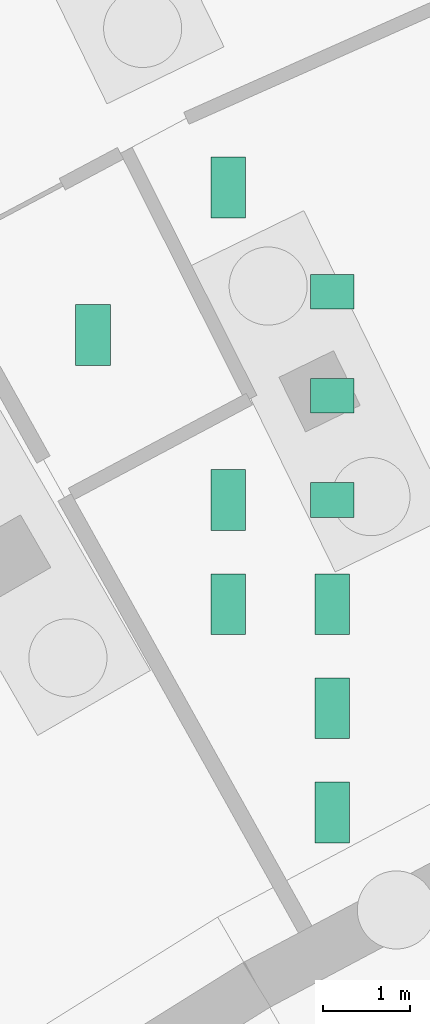
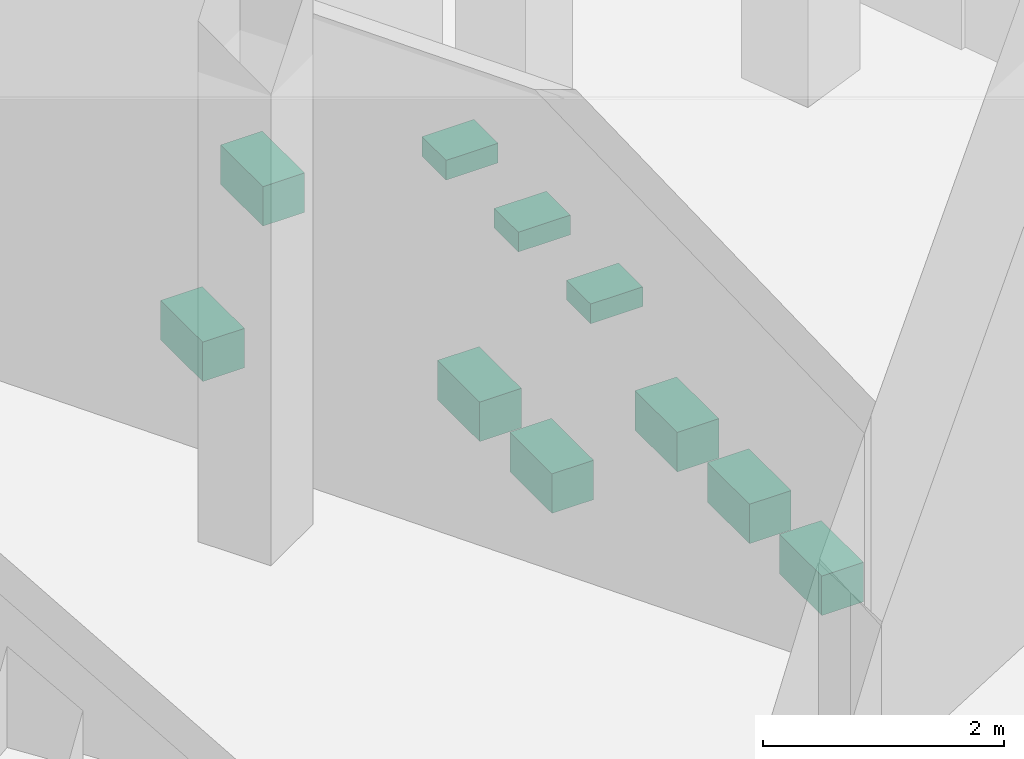
# One storey, part 65 of 66: 10 sanitary terminals.
"""IFC4 building model written with IfcOpenShell, lengths in metres."""

from ifc_helpers import new_model, si_unit, direction, frame, origin, origin_2d, place, context, subcontext, project, spatial, rectangle, extrude, material, type_object, element, save


model = new_model("IFC4")

# Units and contexts
model_context = context("Model", 3, precision=1e-05, world=origin(), true_north=direction((0.0, 1.0)))
body_context = subcontext(model_context, "Body", "Model", "MODEL_VIEW")
ifc_project = project(units=[si_unit("LENGTHUNIT", "METRE"), si_unit("AREAUNIT", "SQUARE_METRE"), si_unit("VOLUMEUNIT", "CUBIC_METRE"), si_unit("PLANEANGLEUNIT", "RADIAN"), si_unit("MASSUNIT", "GRAM", prefix="KILO")], contexts=[model_context])

# Site, building, storey
site_placement = place(None, origin())
site = spatial("IfcSite", under=ifc_project, at=site_placement, CompositionType="ELEMENT")
building_placement = place(site_placement, origin())
building = spatial("IfcBuilding", under=site, at=building_placement, Name="Lunette Opera House", CompositionType="ELEMENT")
storey_placement = place(building_placement, frame((0.0, 0.0, -6.0)))
storey = spatial("IfcBuildingStorey", under=building, at=storey_placement, Name="B1", CompositionType="ELEMENT", Elevation=-6.0)

# Sanitary terminals
ifc_material_1 = material(Name="Ceramic")
sanitary_terminal_type_1 = type_object("IfcSanitaryTerminalType", Name="WASH BASIN", PredefinedType="WASHHANDBASIN", material=ifc_material_1)
for number, where, z_axis, x_axis, name in (
    (1, (70.720947265625, 50.8779296875, 0.7001953125), (0.0, 0.0, 1.0), (1.0, 0.0, 0.0), "Wash basin Public WC Lower"),
    (2, (70.720947265625, 52.077880859375, 0.7001953125), (0.0, 0.0, 1.0), (1.0, 0.0, 0.0), "Wash basin Public WC Lower"),
    (3, (70.720947265625, 53.278076171875, 0.7001953125), (0.0, 0.0, 1.0), (1.0, 0.0, 0.0), "Wash basin Public WC Lower"),
):
    element("IfcSanitaryTerminal", number, at=place(storey_placement, frame(where, z_axis=z_axis, x_axis=x_axis)), inside=storey, type_object=sanitary_terminal_type_1, Name=name, PredefinedType="WASHHANDBASIN", context=body_context, shape_type="SweptSolid", body=[
        extrude(rectangle(XDim=0.5, YDim=0.39990234375, at=origin_2d()), origin(), (0.0, 0.0, 1.0), 0.199951171875),
    ])
ifc_material_2 = material(Name="Ceramic")
sanitary_terminal_type_2 = type_object("IfcSanitaryTerminalType", Name="WC PAN", PredefinedType="TOILETPAN", material=ifc_material_2)
for number, where, z_axis, x_axis, name in (
    (4, (67.964111328125, 52.779052734375, 0.0), (0.0, 0.0, 1.0), (1.0, 0.0, 0.0), "WC pan Accessible WC Lower"),
    (5, (69.52099609375, 49.677978515625, 0.0), (0.0, 0.0, 1.0), (1.0, 0.0, 0.0), "WC pan Public WC Lower"),
    (6, (69.52099609375, 50.8779296875, 0.0), (0.0, 0.0, 1.0), (1.0, 0.0, 0.0), "WC pan Public WC Lower"),
    (7, (69.52099609375, 54.47802734375, 0.0), (0.0, 0.0, 1.0), (1.0, 0.0, 0.0), "WC pan Public WC Lower"),
    (8, (70.720947265625, 47.278076171875, 0.0), (0.0, 0.0, 1.0), (1.0, 0.0, 0.0), "WC pan Public WC Lower"),
    (9, (70.720947265625, 48.47802734375, 0.0), (0.0, 0.0, 1.0), (1.0, 0.0, 0.0), "WC pan Public WC Lower"),
    (10, (70.720947265625, 49.677978515625, 0.0), (0.0, 0.0, 1.0), (1.0, 0.0, 0.0), "WC pan Public WC Lower"),
):
    element("IfcSanitaryTerminal", number, at=place(storey_placement, frame(where, z_axis=z_axis, x_axis=x_axis)), inside=storey, type_object=sanitary_terminal_type_2, Name=name, PredefinedType="TOILETPAN", context=body_context, shape_type="SweptSolid", body=[
        extrude(rectangle(XDim=0.39990234375, YDim=0.699951171875, at=origin_2d()), origin(), (0.0, 0.0, 1.0), 0.39990234375),
    ])

save(model, "model.ifc")
